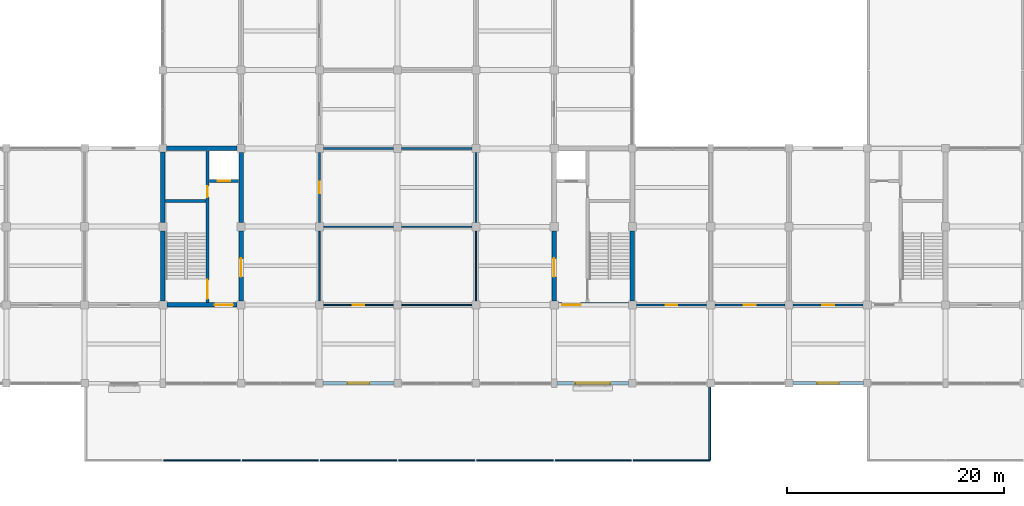
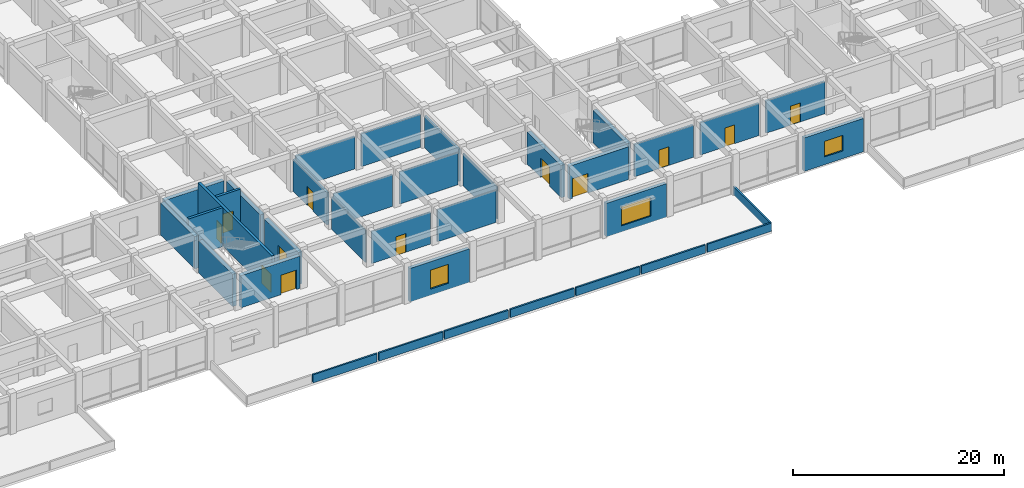
# One storey, part 20 of 30: 36 walls, 12 doors, 3 windows, 15 openings.
"""IFC4 building model written with IfcOpenShell, lengths in metres."""

from ifc_helpers import new_model, si_unit, direction, frame, frame_2d, origin, place, context, subcontext, project, spatial, rectangle, extrude, material, layer, layer_set, type_object, element, fill, save


model = new_model("IFC4")

# Units and contexts
model_context = context("Model", 3, precision=1e-05, world=origin(), true_north=direction((0.0, 1.0)))
body_context = subcontext(model_context, "Body", "Model", "MODEL_VIEW")
ifc_project = project(units=[si_unit("LENGTHUNIT", "METRE"), si_unit("AREAUNIT", "SQUARE_METRE"), si_unit("VOLUMEUNIT", "CUBIC_METRE"), si_unit("PLANEANGLEUNIT", "RADIAN"), si_unit("MASSUNIT", "GRAM", prefix="KILO")], contexts=[model_context])

# Site, building, storey
site_placement = place(None, origin())
site = spatial("IfcSite", under=ifc_project, at=site_placement, CompositionType="ELEMENT")
building_placement = place(site_placement, origin())
building = spatial("IfcBuilding", under=site, at=building_placement, Name="Cendaluz Park School", CompositionType="ELEMENT")
storey_placement = place(building_placement, frame((0.0, 0.0, 9.60009765625)))
storey = spatial("IfcBuildingStorey", under=building, at=storey_placement, Name="L02", CompositionType="ELEMENT", Elevation=9.60009765625)

# Wall, opening, door
ifc_material_1 = material(Name="Gypsum Plasterboard on Cold-Formed Stud", Category="gypsum")
ifc_layer_1 = layer(ifc_material_1, 0.199951171875)
ifc_layer_set_1 = layer_set([ifc_layer_1], Name="Gypsum Plasterboard on Cold-Formed Stud")
wall_type_1 = type_object("IfcWallType", Name="W-AC20", PredefinedType="PARTITIONING", material=ifc_layer_set_1)
wall_1_placement = place(storey_placement, frame((108.375, 14.39990234375, 0.0), z_axis=(0.0, 0.0, 1.0), x_axis=(1.0, 0.0, 0.0)))
wall_1 = element("IfcWall", 1, at=wall_1_placement, inside=storey, type_object=wall_type_1, Name="WL-FC-CA3", PredefinedType="PARTITIONING", context=body_context, shape_type="SweptSolid", body=[
    extrude(rectangle(XDim=6.449951171875, YDim=0.199951171875, at=frame_2d((3.22509765625, 0.0))), origin(), (0.0, 0.0, 1.0), 3.739990234375),
])
opening_1_placement = place(wall_1_placement, frame((2.695068359375, 0.0, 0.0)))
opening_1 = element("IfcOpeningElement", 2, at=opening_1_placement, cuts=wall_1, Name="Opening DCL-04", PredefinedType="OPENING", context=body_context, shape_type="SweptSolid", body=[
    extrude(rectangle(XDim=1.06005859375, YDim=2.159912109375, at=frame_2d((0.530029296875, 1.080078125))), frame((0.0, 0.112060546875, 0.0), z_axis=(0.0, -1.0, 0.0), x_axis=(1.0, 0.0, 0.0)), (0.0, 0.0, 1.0), 0.223876953125),
])
ifc_material_2 = material(Name="Solid Core Hardwood", Category="wood")
door_type_1 = type_object("IfcDoorType", Name="DCL-04", OperationType="NOTDEFINED", PredefinedType="DOOR", material=ifc_material_2)
door_1_placement = place(opening_1_placement, origin())
door_1 = element("IfcDoor", 3, at=door_1_placement, inside=storey, type_object=door_type_1, Name="D-L02-037", OperationType="SINGLE_SWING_LEFT", OverallHeight=2.159912109375, OverallWidth=1.06005859375, PredefinedType="DOOR", context=body_context, shape_type="SweptSolid", body=[
    extrude(rectangle(XDim=1.06005859375, YDim=2.159912109375, at=frame_2d((0.530029296875, 1.080078125))), frame((0.0, 0.02490234375, 0.0), z_axis=(0.0, -1.0, 0.0), x_axis=(1.0, 0.0, 0.0)), (0.0, 0.0, 1.0), 0.050048828125),
])
fill(opening_1, door_1)

wall_2_placement = place(storey_placement, frame((115.574951171875, 14.39990234375, 0.0), z_axis=(0.0, 0.0, 1.0), x_axis=(1.0, 0.0, 0.0)))
wall_2 = element("IfcWall", 4, at=wall_2_placement, inside=storey, type_object=wall_type_1, Name="WL-FC-CA6", PredefinedType="PARTITIONING", context=body_context, shape_type="SweptSolid", body=[
    extrude(rectangle(XDim=6.449951171875, YDim=0.199951171875, at=frame_2d((3.22509765625, 0.0))), origin(), (0.0, 0.0, 1.0), 3.739990234375),
])
opening_2_placement = place(wall_2_placement, frame((2.68505859375, 0.0, 0.0)))
opening_2 = element("IfcOpeningElement", 5, at=opening_2_placement, cuts=wall_2, Name="Opening DCL-05", PredefinedType="OPENING", context=body_context, shape_type="SweptSolid", body=[
    extrude(rectangle(XDim=1.080078125, YDim=2.179931640625, at=frame_2d((0.5400390625, 1.08984375))), frame((0.0, 0.112060546875, 0.0), z_axis=(0.0, -1.0, 0.0), x_axis=(1.0, 0.0, 0.0)), (0.0, 0.0, 1.0), 0.223876953125),
])
door_type_2 = type_object("IfcDoorType", Name="DCL-05", OperationType="NOTDEFINED", PredefinedType="DOOR", material=ifc_material_2)
door_2_placement = place(opening_2_placement, origin())
door_2 = element("IfcDoor", 6, at=door_2_placement, inside=storey, type_object=door_type_2, Name="D-L02-038", OperationType="SINGLE_SWING_RIGHT", OverallHeight=2.179931640625, OverallWidth=1.080078125, PredefinedType="DOOR", context=body_context, shape_type="SweptSolid", body=[
    extrude(rectangle(XDim=1.080078125, YDim=2.179931640625, at=frame_2d((0.5400390625, 1.08984375))), frame((0.0, 0.02490234375, 0.0), z_axis=(0.0, -1.0, 0.0), x_axis=(1.0, 0.0, 0.0)), (0.0, 0.0, 1.0), 0.050048828125),
])
fill(opening_2, door_2)

wall_3_placement = place(storey_placement, frame((122.77490234375, 14.39990234375, 0.0), z_axis=(0.0, 0.0, 1.0), x_axis=(1.0, 0.0, 0.0)))
wall_3 = element("IfcWall", 7, at=wall_3_placement, inside=storey, type_object=wall_type_1, Name="WL-FC-CA9", PredefinedType="PARTITIONING", context=body_context, shape_type="SweptSolid", body=[
    extrude(rectangle(XDim=6.4501953125, YDim=0.199951171875, at=frame_2d((3.22509765625, 0.0))), origin(), (0.0, 0.0, 1.0), 3.739990234375),
])
opening_3_placement = place(wall_3_placement, frame((2.6650390625, 0.0, 0.0)))
opening_3 = element("IfcOpeningElement", 8, at=opening_3_placement, cuts=wall_3, Name="Opening DCL-06", PredefinedType="OPENING", context=body_context, shape_type="SweptSolid", body=[
    extrude(rectangle(XDim=1.1201171875, YDim=2.199951171875, at=frame_2d((0.56005859375, 1.10009765625))), frame((0.0, 0.112060546875, 0.0), z_axis=(0.0, -1.0, 0.0), x_axis=(1.0, 0.0, 0.0)), (0.0, 0.0, 1.0), 0.223876953125),
])
door_type_3 = type_object("IfcDoorType", Name="DCL-06", OperationType="NOTDEFINED", PredefinedType="DOOR", material=ifc_material_2)
door_3_placement = place(opening_3_placement, origin())
door_3 = element("IfcDoor", 9, at=door_3_placement, inside=storey, type_object=door_type_3, Name="D-L02-039", OperationType="SINGLE_SWING_LEFT", OverallHeight=2.199951171875, OverallWidth=1.1201171875, PredefinedType="DOOR", context=body_context, shape_type="SweptSolid", body=[
    extrude(rectangle(XDim=1.1201171875, YDim=2.199951171875, at=frame_2d((0.56005859375, 1.10009765625))), frame((0.0, 0.02490234375, 0.0), z_axis=(0.0, -1.0, 0.0), x_axis=(1.0, 0.0, 0.0)), (0.0, 0.0, 1.0), 0.050048828125),
])
fill(opening_3, door_3)

# Wall
wall_4_placement = place(storey_placement, frame((79.574951171875, 28.800048828125, 0.0), z_axis=(0.0, 0.0, 1.0), x_axis=(1.0, 0.0, 0.0)))
element("IfcWall", 10, at=wall_4_placement, inside=storey, type_object=wall_type_1, Name="WL-FC-CD3", PredefinedType="PARTITIONING", context=body_context, shape_type="SweptSolid", body=[
    extrude(rectangle(XDim=6.449951171875, YDim=0.199951171875, at=frame_2d((3.22509765625, 0.0))), origin(), (0.0, 0.0, 1.0), 3.739990234375),
])

# Wall, opening, door
wall_5_placement = place(storey_placement, frame((79.199951171875, 21.97509765625, 0.0), z_axis=(0.0, 0.0, 1.0), x_axis=(0.0, 1.0, 0.0)))
wall_5 = element("IfcWall", 11, at=wall_5_placement, inside=storey, type_object=wall_type_1, Name="WL-FC-CD4", PredefinedType="PARTITIONING", context=body_context, shape_type="SweptSolid", body=[
    extrude(rectangle(XDim=6.449951171875, YDim=0.199951171875, at=frame_2d((3.22509765625, 0.0))), origin(), (0.0, 0.0, 1.0), 3.739990234375),
])
opening_4_placement = place(wall_5_placement, frame((2.68505859375, 0.0, 0.0)))
opening_4 = element("IfcOpeningElement", 12, at=opening_4_placement, cuts=wall_5, Name="Opening DCL-05", PredefinedType="OPENING", context=body_context, shape_type="SweptSolid", body=[
    extrude(rectangle(XDim=1.080078125, YDim=2.179931640625, at=frame_2d((0.5400390625, 1.08984375))), frame((0.0, 0.112060546875, 0.0), z_axis=(0.0, -1.0, 0.0), x_axis=(1.0, 0.0, 0.0)), (0.0, 0.0, 1.0), 0.223876953125),
])
door_4_placement = place(opening_4_placement, frame((1.080078125, 0.0, 0.0), z_axis=(0.0, 0.0, 1.0), x_axis=(-1.0, 0.0, 0.0)))
door_4 = element("IfcDoor", 13, at=door_4_placement, inside=storey, type_object=door_type_2, Name="D-L02-048", OperationType="SINGLE_SWING_RIGHT", OverallHeight=2.179931640625, OverallWidth=1.080078125, PredefinedType="DOOR", context=body_context, shape_type="SweptSolid", body=[
    extrude(rectangle(XDim=1.080078125, YDim=2.179931640625, at=frame_2d((0.5400390625, 1.08984375))), frame((0.0, 0.02490234375, 0.0), z_axis=(0.0, -1.0, 0.0), x_axis=(1.0, 0.0, 0.0)), (0.0, 0.0, 1.0), 0.050048828125),
])
fill(opening_4, door_4)

# Walls
wall_6_placement = place(storey_placement, frame((86.77490234375, 28.800048828125, 0.0), z_axis=(0.0, 0.0, 1.0), x_axis=(1.0, 0.0, 0.0)))
element("IfcWall", 14, at=wall_6_placement, inside=storey, type_object=wall_type_1, Name="WL-FC-CD5", PredefinedType="PARTITIONING", context=body_context, shape_type="SweptSolid", body=[
    extrude(rectangle(XDim=6.4501953125, YDim=0.199951171875, at=frame_2d((3.22509765625, 0.0))), origin(), (0.0, 0.0, 1.0), 3.809814453125),
])
wall_7_placement = place(storey_placement, frame((93.60009765625, 21.97509765625, 0.0), z_axis=(0.0, 0.0, 1.0), x_axis=(0.0, 1.0, 0.0)))
element("IfcWall", 15, at=wall_7_placement, inside=storey, type_object=wall_type_1, Name="WL-FC-CD6", PredefinedType="PARTITIONING", context=body_context, shape_type="SweptSolid", body=[
    extrude(rectangle(XDim=6.449951171875, YDim=0.199951171875, at=frame_2d((3.22509765625, 0.0))), origin(), (0.0, 0.0, 1.0), 3.739990234375),
])

# Wall, opening, window
ifc_material_3 = material(Name="Concrete C40/50 precast", Category="concrete")
ifc_layer_2 = layer(ifc_material_3, 0.360107421875)
ifc_layer_set_2 = layer_set([ifc_layer_2], Name="Concrete C40/50 precast")
wall_type_2 = type_object("IfcWallType", Name="W-EX36", PredefinedType="SOLIDWALL", material=ifc_layer_set_2)
wall_8_placement = place(storey_placement, frame((79.550048828125, 7.199951171875, 0.0), z_axis=(0.0, 0.0, 1.0), x_axis=(1.0, 0.0, 0.0)))
wall_8 = element("IfcWall", 16, at=wall_8_placement, inside=storey, type_object=wall_type_2, Name="WL-FC-AA7", PredefinedType="SOLIDWALL", context=body_context, shape_type="SweptSolid", body=[
    extrude(rectangle(XDim=6.5, YDim=0.360107421875, at=frame_2d((3.25, 0.0))), origin(), (0.0, 0.0, 1.0), 3.8798828125),
])
opening_5_placement = place(wall_8_placement, frame((2.25, 0.0, 0.699951171875)))
opening_5 = element("IfcOpeningElement", 17, at=opening_5_placement, cuts=wall_8, Name="Opening WN-22", PredefinedType="OPENING", context=body_context, shape_type="SweptSolid", body=[
    extrude(rectangle(XDim=2.0, YDim=2.199951171875, at=frame_2d((1.0, 1.10009765625))), frame((0.0, 0.192138671875, 0.0), z_axis=(0.0, -1.0, 0.0), x_axis=(1.0, 0.0, 0.0)), (0.0, 0.0, 1.0), 0.384033203125),
])
ifc_material_4 = material(Name="Tempered Low-E Double Glazing", Category="glass")
window_type_1 = type_object("IfcWindowType", Name="WN-22", PartitioningType="SINGLE_PANEL", PredefinedType="WINDOW", material=ifc_material_4)
window_1_placement = place(opening_5_placement, origin())
window_1 = element("IfcWindow", 18, at=window_1_placement, inside=storey, type_object=window_type_1, Name="WN-L02-008", OverallHeight=2.199951171875, OverallWidth=2.0, PartitioningType="SINGLE_PANEL", PredefinedType="WINDOW", context=body_context, shape_type="SweptSolid", body=[
    extrude(rectangle(XDim=2.0, YDim=2.199951171875, at=frame_2d((1.0, 1.10009765625))), frame((0.0, 0.030029296875, 0.0), z_axis=(0.0, -1.0, 0.0), x_axis=(1.0, 0.0, 0.0)), (0.0, 0.0, 1.0), 0.06005859375),
])
fill(opening_5, window_1)

wall_9_placement = place(storey_placement, frame((101.050048828125, 7.199951171875, 0.0), z_axis=(0.0, 0.0, 1.0), x_axis=(1.0, 0.0, 0.0)))
wall_9 = element("IfcWall", 19, at=wall_9_placement, inside=storey, type_object=wall_type_2, Name="WL-FC-AA9", PredefinedType="SOLIDWALL", context=body_context, shape_type="SweptSolid", body=[
    extrude(rectangle(XDim=6.599853515625, YDim=0.360107421875, at=frame_2d((3.2998046875, 0.0))), origin(), (0.0, 0.0, 1.0), 3.8798828125),
])
opening_6_placement = place(wall_9_placement, frame((1.699951171875, 0.0, 0.699951171875)))
opening_6 = element("IfcOpeningElement", 20, at=opening_6_placement, cuts=wall_9, Name="Opening WN-25", PredefinedType="OPENING", context=body_context, shape_type="SweptSolid", body=[
    extrude(rectangle(XDim=3.199951171875, YDim=2.199951171875, at=frame_2d((1.60009765625, 1.10009765625))), frame((0.0, 0.192138671875, 0.0), z_axis=(0.0, -1.0, 0.0), x_axis=(1.0, 0.0, 0.0)), (0.0, 0.0, 1.0), 0.384033203125),
])
window_type_2 = type_object("IfcWindowType", Name="WN-25", PartitioningType="SINGLE_PANEL", PredefinedType="WINDOW", material=ifc_material_4)
window_2_placement = place(opening_6_placement, origin())
window_2 = element("IfcWindow", 21, at=window_2_placement, inside=storey, type_object=window_type_2, Name="WN-L02-010", OverallHeight=2.199951171875, OverallWidth=3.199951171875, PartitioningType="SINGLE_PANEL", PredefinedType="WINDOW", context=body_context, shape_type="SweptSolid", body=[
    extrude(rectangle(XDim=3.199951171875, YDim=2.199951171875, at=frame_2d((1.60009765625, 1.10009765625))), frame((0.0, 0.030029296875, 0.0), z_axis=(0.0, -1.0, 0.0), x_axis=(1.0, 0.0, 0.0)), (0.0, 0.0, 1.0), 0.06005859375),
])
fill(opening_6, window_2)

wall_10_placement = place(storey_placement, frame((122.75, 7.199951171875, 0.0), z_axis=(0.0, 0.0, 1.0), x_axis=(1.0, 0.0, 0.0)))
wall_10 = element("IfcWall", 22, at=wall_10_placement, inside=storey, type_object=wall_type_2, Name="WL-FC-AB2", PredefinedType="SOLIDWALL", context=body_context, shape_type="SweptSolid", body=[
    extrude(rectangle(XDim=6.5, YDim=0.360107421875, at=frame_2d((3.25, 0.0))), origin(), (0.0, 0.0, 1.0), 3.8798828125),
])
opening_7_placement = place(wall_10_placement, frame((2.25, 0.0, 0.89990234375)))
opening_7 = element("IfcOpeningElement", 23, at=opening_7_placement, cuts=wall_10, Name="Opening WN-02", PredefinedType="OPENING", context=body_context, shape_type="SweptSolid", body=[
    extrude(rectangle(XDim=2.0, YDim=1.800048828125, at=frame_2d((1.0, 0.89990234375))), frame((0.0, 0.192138671875, 0.0), z_axis=(0.0, -1.0, 0.0), x_axis=(1.0, 0.0, 0.0)), (0.0, 0.0, 1.0), 0.384033203125),
])
window_type_3 = type_object("IfcWindowType", Name="WN-02", PartitioningType="SINGLE_PANEL", PredefinedType="WINDOW", material=ifc_material_4)
window_3_placement = place(opening_7_placement, origin())
window_3 = element("IfcWindow", 24, at=window_3_placement, inside=storey, type_object=window_type_3, Name="WN-L02-013", OverallHeight=1.800048828125, OverallWidth=2.0, PartitioningType="SINGLE_PANEL", PredefinedType="WINDOW", context=body_context, shape_type="SweptSolid", body=[
    extrude(rectangle(XDim=2.0, YDim=1.800048828125, at=frame_2d((1.0, 0.89990234375))), frame((0.0, 0.030029296875, 0.0), z_axis=(0.0, -1.0, 0.0), x_axis=(1.0, 0.0, 0.0)), (0.0, 0.0, 1.0), 0.06005859375),
])
fill(opening_7, window_3)

# Wall, openings, doors
ifc_material_5 = material(Name="Concrete C40/50", Category="concrete")
ifc_layer_3 = layer(ifc_material_5, 0.280029296875)
ifc_layer_set_3 = layer_set([ifc_layer_3], Name="Concrete C40/50")
wall_type_3 = type_object("IfcWallType", Name="W-FW28", PredefinedType="SHEAR", material=ifc_layer_set_3)
wall_11_placement = place(storey_placement, frame((68.919921875, 14.60009765625, 0.0), z_axis=(0.0, 0.0, 1.0), x_axis=(0.0, 1.0, 0.0)))
wall_11 = element("IfcWall", 25, at=wall_11_placement, inside=storey, type_object=wall_type_3, Name="WL-FC-BS7", PredefinedType="SHEAR", context=body_context, shape_type="SweptSolid", body=[
    extrude(rectangle(XDim=14.0, YDim=0.280029296875, at=frame_2d((7.0, 0.0))), origin(), (0.0, 0.0, 1.0), 4.510009765625),
])
opening_8_placement = place(wall_11_placement, frame((0.35009765625, 0.0, 0.0)))
opening_8 = element("IfcOpeningElement", 26, at=opening_8_placement, cuts=wall_11, Name="Opening DST-03", PredefinedType="OPENING", context=body_context, shape_type="SweptSolid", body=[
    extrude(rectangle(XDim=1.75, YDim=2.14990234375, at=frame_2d((0.875, 1.074951171875))), frame((0.0, 0.152099609375, 0.0), z_axis=(0.0, -1.0, 0.0), x_axis=(1.0, 0.0, 0.0)), (0.0, 0.0, 1.0), 0.303955078125),
])
opening_9_placement = place(wall_11_placement, frame((9.719970703125, 0.0, 0.0)))
opening_9 = element("IfcOpeningElement", 27, at=opening_9_placement, cuts=wall_11, Name="Opening DFC-01", PredefinedType="OPENING", context=body_context, shape_type="SweptSolid", body=[
    extrude(rectangle(XDim=1.0, YDim=2.14990234375, at=frame_2d((0.5, 1.074951171875))), frame((0.0, 0.152099609375, 0.0), z_axis=(0.0, -1.0, 0.0), x_axis=(1.0, 0.0, 0.0)), (0.0, 0.0, 1.0), 0.303955078125),
])
door_type_4 = type_object("IfcDoorType", Name="DFC-01", OperationType="NOTDEFINED", PredefinedType="DOOR", material=ifc_material_2)
door_5_placement = place(opening_9_placement, origin())
door_5 = element("IfcDoor", 28, at=door_5_placement, inside=storey, type_object=door_type_4, Name="D-L02-004", OperationType="SINGLE_SWING_RIGHT", OverallHeight=2.14990234375, OverallWidth=1.0, PredefinedType="DOOR", context=body_context, shape_type="SweptSolid", body=[
    extrude(rectangle(XDim=1.0, YDim=2.14990234375, at=frame_2d((0.5, 1.074951171875))), frame((0.0, 0.02490234375, 0.0), z_axis=(0.0, -1.0, 0.0), x_axis=(1.0, 0.0, 0.0)), (0.0, 0.0, 1.0), 0.050048828125),
])
fill(opening_9, door_5)
door_type_5 = type_object("IfcDoorType", Name="DST-03", OperationType="DOUBLE_DOOR_SINGLE_SWING", PredefinedType="DOOR", material=ifc_material_2)
door_6_placement = place(opening_8_placement, origin())
door_6 = element("IfcDoor", 29, at=door_6_placement, inside=storey, type_object=door_type_5, Name="D-L02-003", OperationType="DOUBLE_DOOR_SINGLE_SWING", OverallHeight=2.14990234375, OverallWidth=1.75, PredefinedType="DOOR", context=body_context, shape_type="SweptSolid", body=[
    extrude(rectangle(XDim=1.75, YDim=2.14990234375, at=frame_2d((0.875, 1.074951171875))), frame((0.0, 0.02490234375, 0.0), z_axis=(0.0, -1.0, 0.0), x_axis=(1.0, 0.0, 0.0)), (0.0, 0.0, 1.0), 0.050048828125),
])
fill(opening_8, door_6)

# Wall
wall_12_placement = place(storey_placement, frame((65.0, 23.97998046875, 0.0), z_axis=(0.0, 0.0, 1.0), x_axis=(1.0, 0.0, 0.0)))
element("IfcWall", 30, at=wall_12_placement, inside=storey, type_object=wall_type_3, Name="WL-FC-BS8", PredefinedType="SHEAR", context=body_context, shape_type="SweptSolid", body=[
    extrude(rectangle(XDim=3.780029296875, YDim=0.280029296875, at=frame_2d((1.89013671875, 0.0))), origin(), (0.0, 0.0, 1.0), 4.510009765625),
])

# Wall, opening, door
wall_13_placement = place(storey_placement, frame((69.080078125, 25.800048828125, 0.0), z_axis=(0.0, 0.0, 1.0), x_axis=(1.0, 0.0, 0.0)))
wall_13 = element("IfcWall", 31, at=wall_13_placement, inside=storey, type_object=wall_type_3, Name="WL-FC-BS9", PredefinedType="SHEAR", context=body_context, shape_type="SweptSolid", body=[
    extrude(rectangle(XDim=2.679931640625, YDim=0.280029296875, at=frame_2d((1.33984375, 0.0))), origin(), (0.0, 0.0, 1.0), 4.510009765625),
])
opening_10_placement = place(wall_13_placement, frame((0.764892578125, 0.0, 0.0)))
opening_10 = element("IfcOpeningElement", 32, at=opening_10_placement, cuts=wall_13, Name="Opening LD-01", PredefinedType="OPENING", context=body_context, shape_type="SweptSolid", body=[
    extrude(rectangle(XDim=1.14990234375, YDim=2.199951171875, at=frame_2d((0.574951171875, 1.10009765625))), frame((0.0, 0.152099609375, 0.0), z_axis=(0.0, -1.0, 0.0), x_axis=(1.0, 0.0, 0.0)), (0.0, 0.0, 1.0), 0.303955078125),
])
ifc_material_6 = material(Name="Stainless Steel 316L", Category="steel")
door_type_6 = type_object("IfcDoorType", Name="LD-01", OperationType="DOUBLE_DOOR_SLIDING", PredefinedType="DOOR", material=ifc_material_6)
door_7_placement = place(opening_10_placement, frame((1.14990234375, 0.0, 0.0), z_axis=(0.0, 0.0, 1.0), x_axis=(-1.0, 0.0, 0.0)))
door_7 = element("IfcDoor", 33, at=door_7_placement, inside=storey, type_object=door_type_6, Name="D-L02-005", OperationType="DOUBLE_DOOR_SLIDING", OverallHeight=2.199951171875, OverallWidth=1.14990234375, PredefinedType="DOOR", context=body_context, shape_type="SweptSolid", body=[
    extrude(rectangle(XDim=1.14990234375, YDim=2.199951171875, at=frame_2d((0.574951171875, 1.10009765625))), frame((0.0, 0.02490234375, 0.0), z_axis=(0.0, -1.0, 0.0), x_axis=(1.0, 0.0, 0.0)), (0.0, 0.0, 1.0), 0.050048828125),
])
fill(opening_10, door_7)

ifc_layer_4 = layer(ifc_material_1, 0.1201171875)
ifc_layer_set_4 = layer_set([ifc_layer_4], Name="Gypsum Plasterboard on Cold-Formed Stud")
wall_type_4 = type_object("IfcWallType", Name="W-MV12", PredefinedType="MOVABLE", material=ifc_layer_set_4)
wall_14_placement = place(storey_placement, frame((79.574951171875, 14.39990234375, 0.0), z_axis=(0.0, 0.0, 1.0), x_axis=(1.0, 0.0, 0.0)))
wall_14 = element("IfcWall", 34, at=wall_14_placement, inside=storey, type_object=wall_type_4, Name="WL-FC-CC7", PredefinedType="MOVABLE", context=body_context, shape_type="SweptSolid", body=[
    extrude(rectangle(XDim=6.449951171875, YDim=0.1201171875, at=frame_2d((3.22509765625, 0.0))), origin(), (0.0, 0.0, 1.0), 3.739990234375),
])
opening_11_placement = place(wall_14_placement, frame((2.695068359375, 0.0, 0.0)))
opening_11 = element("IfcOpeningElement", 35, at=opening_11_placement, cuts=wall_14, Name="Opening DCL-04", PredefinedType="OPENING", context=body_context, shape_type="SweptSolid", body=[
    extrude(rectangle(XDim=1.06005859375, YDim=2.159912109375, at=frame_2d((0.530029296875, 1.080078125))), frame((0.0, 0.072021484375, 0.0), z_axis=(0.0, -1.0, 0.0), x_axis=(1.0, 0.0, 0.0)), (0.0, 0.0, 1.0), 0.14404296875),
])
door_8_placement = place(opening_11_placement, origin())
door_8 = element("IfcDoor", 36, at=door_8_placement, inside=storey, type_object=door_type_1, Name="D-L02-047", OperationType="SINGLE_SWING_LEFT", OverallHeight=2.159912109375, OverallWidth=1.06005859375, PredefinedType="DOOR", context=body_context, shape_type="SweptSolid", body=[
    extrude(rectangle(XDim=1.06005859375, YDim=2.159912109375, at=frame_2d((0.530029296875, 1.080078125))), frame((0.0, 0.02490234375, 0.0), z_axis=(0.0, -1.0, 0.0), x_axis=(1.0, 0.0, 0.0)), (0.0, 0.0, 1.0), 0.050048828125),
])
fill(opening_11, door_8)

# Walls
wall_15_placement = place(storey_placement, frame((79.574951171875, 21.60009765625, 0.0), z_axis=(0.0, 0.0, 1.0), x_axis=(1.0, 0.0, 0.0)))
element("IfcWall", 37, at=wall_15_placement, inside=storey, type_object=wall_type_4, Name="WL-FC-CC8", PredefinedType="MOVABLE", context=body_context, shape_type="SweptSolid", body=[
    extrude(rectangle(XDim=6.449951171875, YDim=0.1201171875, at=frame_2d((3.22509765625, 0.0))), origin(), (0.0, 0.0, 1.0), 3.739990234375),
])
for number, where, z_axis, x_axis, name in (
    (38, (79.199951171875, 14.77490234375, 0.0), (0.0, 0.0, 1.0), (0.0, 1.0, 0.0), "WL-FC-CC9"),
    (39, (86.77490234375, 14.39990234375, 0.0), (0.0, 0.0, 1.0), (1.0, 0.0, 0.0), "WL-FC-CD0"),
    (40, (86.77490234375, 21.60009765625, 0.0), (0.0, 0.0, 1.0), (1.0, 0.0, 0.0), "WL-FC-CD1"),
    (41, (93.60009765625, 14.77490234375, 0.0), (0.0, 0.0, 1.0), (0.0, 1.0, 0.0), "WL-FC-CD2"),
):
    element("IfcWall", number, at=place(storey_placement, frame(where, z_axis=z_axis, x_axis=x_axis)), inside=storey, type_object=wall_type_4, Name=name, PredefinedType="MOVABLE", context=body_context, shape_type="SweptSolid", body=[
        extrude(rectangle(XDim=6.4501953125, YDim=0.1201171875, at=frame_2d((3.22509765625, 0.0))), origin(), (0.0, 0.0, 1.0), 3.739990234375),
    ])
ifc_layer_5 = layer(ifc_material_3, 0.179931640625)
ifc_layer_set_5 = layer_set([ifc_layer_5], Name="Concrete C40/50 precast")
wall_type_5 = type_object("IfcWallType", Name="W-PR18", PredefinedType="PARAPET", material=ifc_layer_set_5)
for number, where, z_axis, x_axis, name in (
    (42, (64.889892578125, 0.090087890625, 0.0), (0.0, 0.0, 1.0), (1.0, 0.0, 0.0), "WL-FC-AH7"),
    (43, (72.090087890625, 0.090087890625, 0.0), (0.0, 0.0, 1.0), (1.0, 0.0, 0.0), "WL-FC-AH8"),
    (44, (79.2900390625, 0.090087890625, 0.0), (0.0, 0.0, 1.0), (1.0, 0.0, 0.0), "WL-FC-AH9"),
    (45, (86.489990234375, 0.090087890625, 0.0), (0.0, 0.0, 1.0), (1.0, 0.0, 0.0), "WL-FC-AI0"),
    (46, (93.68994140625, 0.090087890625, 0.0), (0.0, 0.0, 1.0), (1.0, 0.0, 0.0), "WL-FC-AI1"),
    (47, (100.889892578125, 0.090087890625, 0.0), (0.0, 0.0, 1.0), (1.0, 0.0, 0.0), "WL-FC-AI2"),
    (48, (108.090087890625, 0.090087890625, 0.0), (0.0, 0.0, 1.0), (1.0, 0.0, 0.0), "WL-FC-AI3"),
    (49, (115.110107421875, 0.090087890625, 0.0), (0.0, 0.0, 1.0), (0.0, 1.0, 0.0), "WL-FC-AI4"),
):
    element("IfcWall", number, at=place(storey_placement, frame(where, z_axis=z_axis, x_axis=x_axis)), inside=storey, type_object=wall_type_5, Name=name, PredefinedType="PARAPET", context=body_context, shape_type="SweptSolid", body=[
        extrude(rectangle(XDim=7.02001953125, YDim=0.179931640625, at=frame_2d((3.510009765625, 0.0))), origin(), (0.0, 0.0, 1.0), 0.949951171875),
    ])
ifc_layer_6 = layer(ifc_material_5, 0.419921875)
ifc_layer_set_6 = layer_set([ifc_layer_6], Name="Concrete C40/50")
wall_type_6 = type_object("IfcWallType", Name="W-SH42", PredefinedType="SHEAR", material=ifc_layer_set_6)
wall_16_placement = place(storey_placement, frame((64.800048828125, 14.77490234375, 0.0), z_axis=(0.0, 0.0, 1.0), x_axis=(0.0, 1.0, 0.0)))
element("IfcWall", 50, at=wall_16_placement, inside=storey, type_object=wall_type_6, Name="WL-FC-BS1", PredefinedType="SHEAR", context=body_context, shape_type="SweptSolid", body=[
    extrude(rectangle(XDim=6.4501953125, YDim=0.419921875, at=frame_2d((3.22509765625, 0.0))), origin(), (0.0, 0.0, 1.0), 3.739990234375),
])
wall_17_placement = place(storey_placement, frame((64.800048828125, 21.97509765625, 0.0), z_axis=(0.0, 0.0, 1.0), x_axis=(0.0, 1.0, 0.0)))
element("IfcWall", 51, at=wall_17_placement, inside=storey, type_object=wall_type_6, Name="WL-FC-BS2", PredefinedType="SHEAR", context=body_context, shape_type="SweptSolid", body=[
    extrude(rectangle(XDim=6.474853515625, YDim=0.419921875, at=frame_2d((3.2373046875, 0.0))), origin(), (0.0, 0.0, 1.0), 3.739990234375),
])

# Wall, opening, door
wall_18_placement = place(storey_placement, frame((72.0, 14.77490234375, 0.0), z_axis=(0.0, 0.0, 1.0), x_axis=(0.0, 1.0, 0.0)))
wall_18 = element("IfcWall", 52, at=wall_18_placement, inside=storey, type_object=wall_type_6, Name="WL-FC-BS3", PredefinedType="SHEAR", context=body_context, shape_type="SweptSolid", body=[
    extrude(rectangle(XDim=6.4501953125, YDim=0.419921875, at=frame_2d((3.22509765625, 0.0))), origin(), (0.0, 0.0, 1.0), 3.739990234375),
])
opening_12_placement = place(wall_18_placement, frame((2.199951171875, 0.0, 0.0)))
opening_12 = element("IfcOpeningElement", 53, at=opening_12_placement, cuts=wall_18, Name="Opening DLB-02", PredefinedType="OPENING", context=body_context, shape_type="SweptSolid", body=[
    extrude(rectangle(XDim=1.699951171875, YDim=2.25, at=frame_2d((0.85009765625, 1.125))), frame((0.0, 0.221923828125, 0.0), z_axis=(0.0, -1.0, 0.0), x_axis=(1.0, 0.0, 0.0)), (0.0, 0.0, 1.0), 0.44384765625),
])
door_type_7 = type_object("IfcDoorType", Name="DLB-02", OperationType="DOUBLE_DOOR_SINGLE_SWING", PredefinedType="DOOR", material=ifc_material_2)
door_9_placement = place(opening_12_placement, origin())
door_9 = element("IfcDoor", 54, at=door_9_placement, inside=storey, type_object=door_type_7, Name="D-L02-001", OperationType="DOUBLE_DOOR_SINGLE_SWING", OverallHeight=2.25, OverallWidth=1.699951171875, PredefinedType="DOOR", context=body_context, shape_type="SweptSolid", body=[
    extrude(rectangle(XDim=1.699951171875, YDim=2.25, at=frame_2d((0.85009765625, 1.125))), frame((0.0, 0.02490234375, 0.0), z_axis=(0.0, -1.0, 0.0), x_axis=(1.0, 0.0, 0.0)), (0.0, 0.0, 1.0), 0.050048828125),
])
fill(opening_12, door_9)

# Wall
wall_19_placement = place(storey_placement, frame((72.0, 21.97509765625, 0.0), z_axis=(0.0, 0.0, 1.0), x_axis=(0.0, 1.0, 0.0)))
element("IfcWall", 55, at=wall_19_placement, inside=storey, type_object=wall_type_6, Name="WL-FC-BS4", PredefinedType="SHEAR", context=body_context, shape_type="SweptSolid", body=[
    extrude(rectangle(XDim=6.449951171875, YDim=0.419921875, at=frame_2d((3.22509765625, 0.0))), origin(), (0.0, 0.0, 1.0), 3.739990234375),
])

# Wall, opening, door
wall_20_placement = place(storey_placement, frame((65.175048828125, 14.39990234375, 0.0), z_axis=(0.0, 0.0, 1.0), x_axis=(1.0, 0.0, 0.0)))
wall_20 = element("IfcWall", 56, at=wall_20_placement, inside=storey, type_object=wall_type_6, Name="WL-FC-BS5", PredefinedType="SHEAR", context=body_context, shape_type="SweptSolid", body=[
    extrude(rectangle(XDim=6.449951171875, YDim=0.419921875, at=frame_2d((3.22509765625, 0.0))), origin(), (0.0, 0.0, 1.0), 3.739990234375),
])
opening_13_placement = place(wall_20_placement, frame((4.39501953125, 0.0, 0.0)))
opening_13 = element("IfcOpeningElement", 57, at=opening_13_placement, cuts=wall_20, Name="Opening DLB-02", PredefinedType="OPENING", context=body_context, shape_type="SweptSolid", body=[
    extrude(rectangle(XDim=1.699951171875, YDim=2.25, at=frame_2d((0.85009765625, 1.125))), frame((0.0, 0.221923828125, 0.0), z_axis=(0.0, -1.0, 0.0), x_axis=(1.0, 0.0, 0.0)), (0.0, 0.0, 1.0), 0.44384765625),
])
door_10_placement = place(opening_13_placement, origin())
door_10 = element("IfcDoor", 58, at=door_10_placement, inside=storey, type_object=door_type_7, Name="D-L02-002", OperationType="DOUBLE_DOOR_SINGLE_SWING", OverallHeight=2.25, OverallWidth=1.699951171875, PredefinedType="DOOR", context=body_context, shape_type="SweptSolid", body=[
    extrude(rectangle(XDim=1.699951171875, YDim=2.25, at=frame_2d((0.85009765625, 1.125))), frame((0.0, 0.02490234375, 0.0), z_axis=(0.0, -1.0, 0.0), x_axis=(1.0, 0.0, 0.0)), (0.0, 0.0, 1.0), 0.050048828125),
])
fill(opening_13, door_10)

# Wall
wall_21_placement = place(storey_placement, frame((65.14990234375, 28.800048828125, 0.0), z_axis=(0.0, 0.0, 1.0), x_axis=(1.0, 0.0, 0.0)))
element("IfcWall", 59, at=wall_21_placement, inside=storey, type_object=wall_type_6, Name="WL-FC-BS6", PredefinedType="SHEAR", context=body_context, shape_type="SweptSolid", body=[
    extrude(rectangle(XDim=6.47509765625, YDim=0.419921875, at=frame_2d((3.237548828125, 0.0))), origin(), (0.0, 0.0, 1.0), 3.739990234375),
])

# Wall, opening, door
wall_22_placement = place(storey_placement, frame((100.800048828125, 14.77490234375, 0.0), z_axis=(0.0, 0.0, 1.0), x_axis=(0.0, 1.0, 0.0)))
wall_22 = element("IfcWall", 60, at=wall_22_placement, inside=storey, type_object=wall_type_6, Name="WL-FC-BT0", PredefinedType="SHEAR", context=body_context, shape_type="SweptSolid", body=[
    extrude(rectangle(XDim=6.4501953125, YDim=0.419921875, at=frame_2d((3.22509765625, 0.0))), origin(), (0.0, 0.0, 1.0), 3.739990234375),
])
opening_14_placement = place(wall_22_placement, frame((2.199951171875, 0.0, 0.0)))
opening_14 = element("IfcOpeningElement", 61, at=opening_14_placement, cuts=wall_22, Name="Opening DLB-02", PredefinedType="OPENING", context=body_context, shape_type="SweptSolid", body=[
    extrude(rectangle(XDim=1.699951171875, YDim=2.25, at=frame_2d((0.85009765625, 1.125))), frame((0.0, 0.221923828125, 0.0), z_axis=(0.0, -1.0, 0.0), x_axis=(1.0, 0.0, 0.0)), (0.0, 0.0, 1.0), 0.44384765625),
])
door_11_placement = place(opening_14_placement, frame((1.699951171875, 0.0, 0.0), z_axis=(0.0, 0.0, 1.0), x_axis=(-1.0, 0.0, 0.0)))
door_11 = element("IfcDoor", 62, at=door_11_placement, inside=storey, type_object=door_type_7, Name="D-L02-006", OperationType="DOUBLE_DOOR_SINGLE_SWING", OverallHeight=2.25, OverallWidth=1.699951171875, PredefinedType="DOOR", context=body_context, shape_type="SweptSolid", body=[
    extrude(rectangle(XDim=1.699951171875, YDim=2.25, at=frame_2d((0.85009765625, 1.125))), frame((0.0, 0.02490234375, 0.0), z_axis=(0.0, -1.0, 0.0), x_axis=(1.0, 0.0, 0.0)), (0.0, 0.0, 1.0), 0.050048828125),
])
fill(opening_14, door_11)

# Wall
wall_23_placement = place(storey_placement, frame((108.0, 14.77490234375, 0.0), z_axis=(0.0, 0.0, 1.0), x_axis=(0.0, 1.0, 0.0)))
element("IfcWall", 63, at=wall_23_placement, inside=storey, type_object=wall_type_6, Name="WL-FC-BT2", PredefinedType="SHEAR", context=body_context, shape_type="SweptSolid", body=[
    extrude(rectangle(XDim=6.4501953125, YDim=0.419921875, at=frame_2d((3.22509765625, 0.0))), origin(), (0.0, 0.0, 1.0), 3.739990234375),
])

# Wall, opening, door
wall_24_placement = place(storey_placement, frame((101.175048828125, 14.39990234375, 0.0), z_axis=(0.0, 0.0, 1.0), x_axis=(1.0, 0.0, 0.0)))
wall_24 = element("IfcWall", 64, at=wall_24_placement, inside=storey, type_object=wall_type_6, Name="WL-FC-BT4", PredefinedType="SHEAR", context=body_context, shape_type="SweptSolid", body=[
    extrude(rectangle(XDim=6.449951171875, YDim=0.419921875, at=frame_2d((3.22509765625, 0.0))), origin(), (0.0, 0.0, 1.0), 3.809814453125),
])
opening_15_placement = place(wall_24_placement, frame((0.35498046875, 0.0, 0.0)))
opening_15 = element("IfcOpeningElement", 65, at=opening_15_placement, cuts=wall_24, Name="Opening DLB-02", PredefinedType="OPENING", context=body_context, shape_type="SweptSolid", body=[
    extrude(rectangle(XDim=1.699951171875, YDim=2.25, at=frame_2d((0.85009765625, 1.125))), frame((0.0, 0.221923828125, 0.0), z_axis=(0.0, -1.0, 0.0), x_axis=(1.0, 0.0, 0.0)), (0.0, 0.0, 1.0), 0.44384765625),
])
door_12_placement = place(opening_15_placement, origin())
door_12 = element("IfcDoor", 66, at=door_12_placement, inside=storey, type_object=door_type_7, Name="D-L02-007", OperationType="DOUBLE_DOOR_SINGLE_SWING", OverallHeight=2.25, OverallWidth=1.699951171875, PredefinedType="DOOR", context=body_context, shape_type="SweptSolid", body=[
    extrude(rectangle(XDim=1.699951171875, YDim=2.25, at=frame_2d((0.85009765625, 1.125))), frame((0.0, 0.02490234375, 0.0), z_axis=(0.0, -1.0, 0.0), x_axis=(1.0, 0.0, 0.0)), (0.0, 0.0, 1.0), 0.050048828125),
])
fill(opening_15, door_12)

save(model, "model.ifc")
